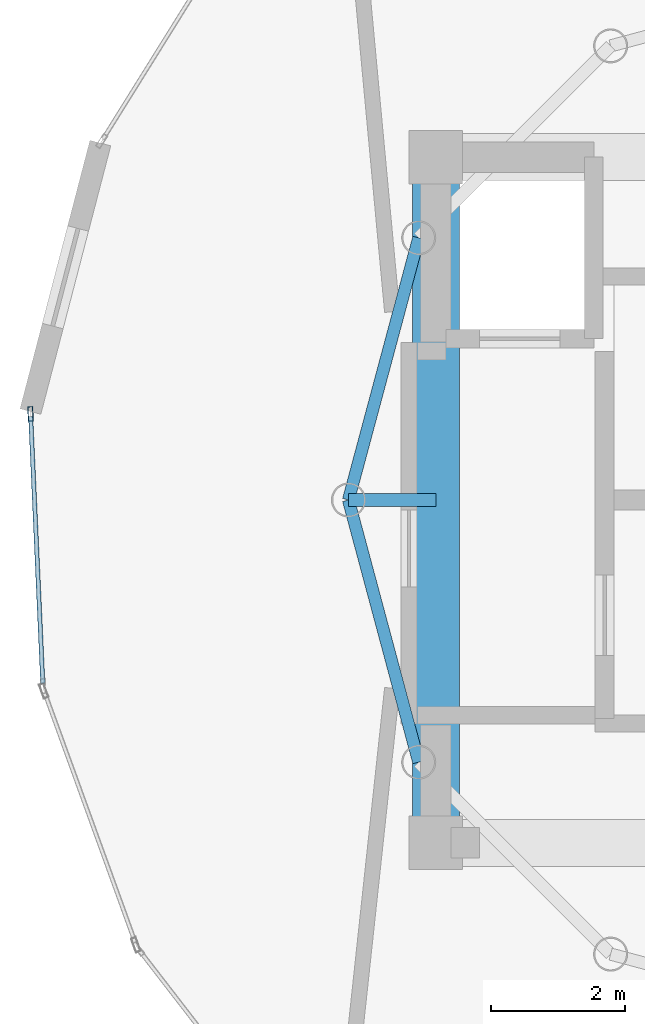
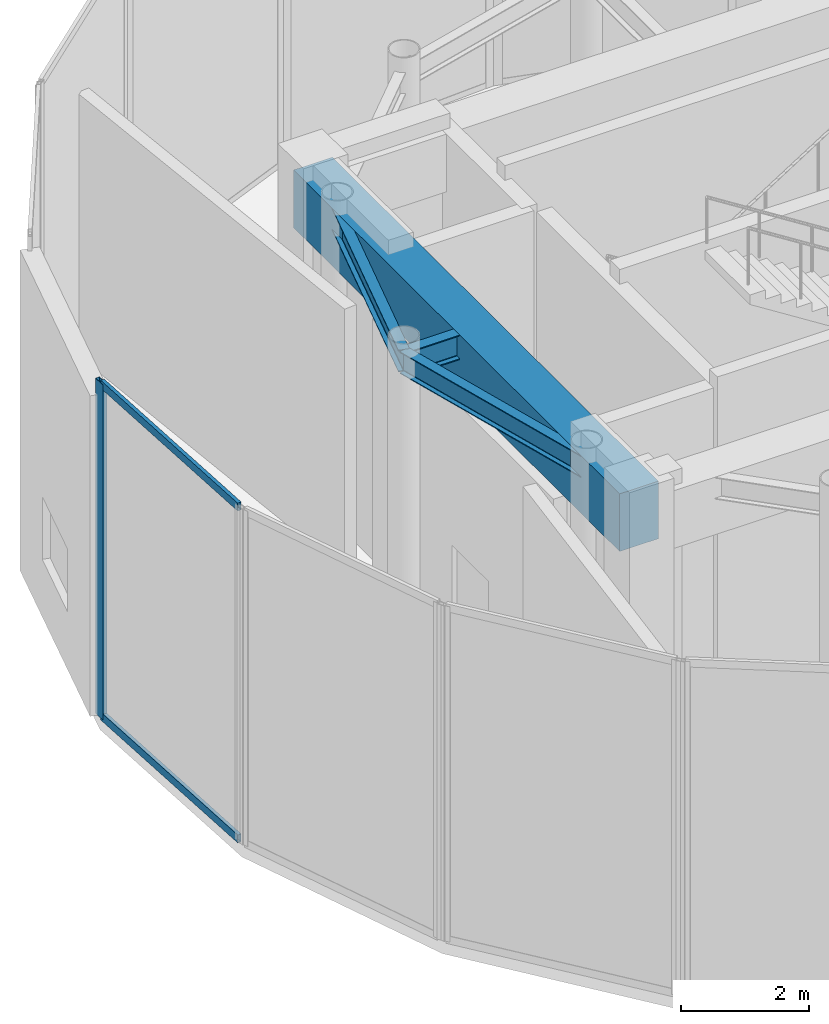
# One storey, part 3 of 10: 4 beams, 3 members, 1 element without a shape of its own.
"""IFC4 building model written with IfcOpenShell, lengths in metres."""

import ifcopenshell
import ifcopenshell.guid

model = None  # the IFC model being written
_history = None  # IfcOwnerHistory: only IFC2X3 demands one
_inside = {}  # id of a spatial element -> (the spatial element, [elements in it])
_under = {}  # id of a project, library or spatial element -> (it, [spatial elements below it])
_declared = {}  # id of a project -> (the project, [libraries it declares])
_typed = {}  # id of a type object -> (the type object, [elements of that type])
_made_of = {}  # id of a material, layer set ... -> (it, [elements and type objects made of it])


def new_model(schema):
    """Start an empty IFC model of exactly this schema.

    Asked for "IFC4X3", IfcOpenShell would pick the latest addendum, in which some entities
    have other attributes; the version numbers below select the first issue.
    IFC2X3 requires an IfcOwnerHistory on every rooted entity: one is made here for all.
    """
    global model, _history
    if schema == "IFC4X3":
        model = ifcopenshell.file(schema_version=(4, 3, 0, 0))
    else:
        model = ifcopenshell.file(schema=schema)
    _inside.clear()
    _under.clear()
    _declared.clear()
    _typed.clear()
    _made_of.clear()
    _history = None
    if model.schema == "IFC2X3":
        org = make("IfcOrganization", Name="unknown")
        user = make(
            "IfcPersonAndOrganization",
            ThePerson=make("IfcPerson", FamilyName="unknown"),
            TheOrganization=org,
        )
        app = make(
            "IfcApplication",
            ApplicationDeveloper=org,
            Version="unknown",
            ApplicationFullName="unknown",
            ApplicationIdentifier="unknown",
        )
        _history = make(
            "IfcOwnerHistory",
            OwningUser=user,
            OwningApplication=app,
            ChangeAction="ADDED",
            CreationDate=0,
        )
    return model


def make(cls, **values):
    """One entity of the class cls with the attributes given. An attribute that is None is left unset."""
    return model.create_entity(
        cls, **{name: value for name, value in values.items() if value is not None}
    )


def rooted(cls, **values):
    """An entity with a GlobalId (a new one), such as an element, a storey or a relation."""
    return make(cls, GlobalId=ifcopenshell.guid.new(), OwnerHistory=_history, **values)


def si_unit(unit_type, name, prefix=None):
    """IfcSIUnit, for example si_unit("LENGTHUNIT", "METRE", prefix="MILLI")."""
    return make("IfcSIUnit", UnitType=unit_type, Prefix=prefix, Name=name)


def assignment(units):
    """IfcUnitAssignment: the units of a project."""
    return None if units is None else make("IfcUnitAssignment", Units=units)


def point(xyz):
    """IfcCartesianPoint."""
    return None if xyz is None else make("IfcCartesianPoint", Coordinates=xyz)


def direction(xyz):
    """IfcDirection."""
    return None if xyz is None else make("IfcDirection", DirectionRatios=xyz)


def frame(location, z_axis=None, x_axis=None):
    """IfcAxis2Placement3D, a coordinate frame: its origin and axes. An axis left out is left unset."""
    return make(
        "IfcAxis2Placement3D",
        Location=point(location),
        Axis=direction(z_axis),
        RefDirection=direction(x_axis),
    )


def frame_2d(location, x_axis=None):
    """IfcAxis2Placement2D, a coordinate frame in the plane: its origin and x axis."""
    return make(
        "IfcAxis2Placement2D", Location=point(location), RefDirection=direction(x_axis)
    )


def origin():
    """The frame at (0, 0, 0) with its axes left unset."""
    return frame((0.0, 0.0, 0.0))


def origin_2d():
    """The frame at (0, 0) in the plane with its x axis left unset."""
    return frame_2d((0.0, 0.0))


def place(relative_to, where):
    """IfcLocalPlacement: puts the frame where relative to a parent placement (None: the world)."""
    return make(
        "IfcLocalPlacement", PlacementRelTo=relative_to, RelativePlacement=where
    )


def context(
    kind, dimensions, precision=None, world=None, true_north=None, identifier=None
):
    """IfcGeometricRepresentationContext, for example the 3D "Model" context."""
    return make(
        "IfcGeometricRepresentationContext",
        ContextIdentifier=identifier,
        ContextType=kind,
        CoordinateSpaceDimension=dimensions,
        Precision=precision,
        WorldCoordinateSystem=world,
        TrueNorth=true_north,
    )


def subcontext(parent, identifier, kind, view, scale=None):
    """IfcGeometricRepresentationSubContext, for example "Body" below "Model"."""
    return make(
        "IfcGeometricRepresentationSubContext",
        ContextIdentifier=identifier,
        ContextType=kind,
        ParentContext=parent,
        TargetScale=scale,
        TargetView=view,
    )


def project(units=None, contexts=None):
    """IfcProject with its units and contexts."""
    return rooted(
        "IfcProject",
        Name="project",
        RepresentationContexts=contexts,
        UnitsInContext=assignment(units),
    )


def spatial(cls, under=None, at=None, **own):
    """A site, building, storey or space (cls), placed at a placement, below another one or the project."""
    s = rooted(cls, ObjectPlacement=at, **own)
    if under is not None:
        _under.setdefault(under.id(), (under, []))[1].append(s)
    return s


def profile(cls, at=None, kind="AREA", **sizes):
    """A parametric profile (cls). Its sizes go by their IFC names, for example OverallWidth=200.0."""
    return make(cls, ProfileType=kind, Position=at, **sizes)


def rectangle(**sizes):
    """IfcRectangleProfileDef."""
    return profile("IfcRectangleProfileDef", **sizes)


def hollow_rectangle(**sizes):
    """IfcRectangleHollowProfileDef."""
    return profile("IfcRectangleHollowProfileDef", **sizes)


def i_section(**sizes):
    """IfcIShapeProfileDef."""
    return profile("IfcIShapeProfileDef", **sizes)


def extrude(swept, where, along, depth):
    """IfcExtrudedAreaSolid: the profile swept, set in the frame where, extruded along a direction by depth."""
    return make(
        "IfcExtrudedAreaSolid",
        SweptArea=swept,
        Position=where,
        ExtrudedDirection=direction(along),
        Depth=depth,
    )


def shape(context_of_items, identifier, shape_type, items):
    """IfcShapeRepresentation: the items that make up one representation, for example the "Body"."""
    return make(
        "IfcShapeRepresentation",
        ContextOfItems=context_of_items,
        RepresentationIdentifier=identifier,
        RepresentationType=shape_type,
        Items=items,
    )


def source(mapping_origin, context_of_items, identifier, shape_type, items):
    """IfcRepresentationMap: a shape defined once, which mapped items show again and again."""
    return make(
        "IfcRepresentationMap",
        MappingOrigin=mapping_origin,
        MappedRepresentation=shape(context_of_items, identifier, shape_type, items),
    )


def transform(
    local_origin,
    x_axis=None,
    y_axis=None,
    z_axis=None,
    scale=None,
    scale2=None,
    scale3=None,
    uniform=True,
):
    """IfcCartesianTransformationOperator3D, or its non-uniform kind. x_axis, y_axis, z_axis: its Axis1, 2, 3."""
    if uniform:
        return make(
            "IfcCartesianTransformationOperator3D",
            Axis1=direction(x_axis),
            Axis2=direction(y_axis),
            LocalOrigin=point(local_origin),
            Scale=scale,
            Axis3=direction(z_axis),
        )
    return make(
        "IfcCartesianTransformationOperator3DnonUniform",
        Axis1=direction(x_axis),
        Axis2=direction(y_axis),
        LocalOrigin=point(local_origin),
        Scale=scale,
        Axis3=direction(z_axis),
        Scale2=scale2,
        Scale3=scale3,
    )


def mapped(mapping_source, mapping_target):
    """IfcMappedItem: shows the shape of a source again, moved by a transform."""
    return make(
        "IfcMappedItem", MappingSource=mapping_source, MappingTarget=mapping_target
    )


def material(Name=None, Category=None):
    """IfcMaterial."""
    return make("IfcMaterial", Name=Name, Category=Category)


def layer(
    of_material, thickness, ventilated=None, Name=None, Category=None, Priority=None
):
    """IfcMaterialLayer: one layer of a wall or slab, of a material (None: an air gap)."""
    return make(
        "IfcMaterialLayer",
        Material=of_material,
        LayerThickness=thickness,
        IsVentilated=ventilated,
        Name=Name,
        Category=Category,
        Priority=Priority,
    )


def layer_set(layers, Name=None):
    """IfcMaterialLayerSet."""
    return make("IfcMaterialLayerSet", MaterialLayers=layers, LayerSetName=Name)


def material_profile(
    of_material, cross_section, Name=None, Category=None, Priority=None
):
    """IfcMaterialProfile: a cross section and its material."""
    return make(
        "IfcMaterialProfile",
        Name=Name,
        Material=of_material,
        Profile=cross_section,
        Priority=Priority,
        Category=Category,
    )


def profile_set(profiles, Name=None, composite=None):
    """IfcMaterialProfileSet."""
    return make(
        "IfcMaterialProfileSet",
        Name=Name,
        MaterialProfiles=profiles,
        CompositeProfile=composite,
    )


def made_of(thing, what):
    """Note that an element or type object is made of a material, layer set ...; save() writes the relation."""
    if what is not None:
        _made_of.setdefault(what.id(), (what, []))[1].append(thing)
    return thing


def type_object(cls, material=None, **own):
    """A type object (cls), such as IfcWallType, which elements share."""
    return made_of(rooted(cls, **own), material)


def element(
    cls,
    number,
    at=None,
    inside=None,
    cuts=None,
    type_object=None,
    material=None,
    context=None,
    identifier="Body",
    shape_type=None,
    held_by="IfcProductDefinitionShape",
    body=None,
    shapes=None,
    **own,
):
    """One element of the class cls, such as IfcWall. Its Tag is "e" and its number.

    at: its placement. inside: the storey or other place that contains it. cuts: it is an
    opening in that element (IfcRelVoidsElement). A single representation is given by context,
    identifier, shape_type and body (its items); several are given by shapes. held_by: the class
    of the entity that holds the representations. save() writes the other relations.
    """
    e = rooted(cls, Tag="e%d" % number, ObjectPlacement=at, **own)
    if body is not None:
        shapes = [shape(context, identifier, shape_type, body)]
    if shapes is not None:
        e.Representation = make(held_by, Representations=shapes)
    if inside is not None:
        _inside.setdefault(inside.id(), (inside, []))[1].append(e)
    if cuts is not None:
        rooted(
            "IfcRelVoidsElement", RelatingBuildingElement=cuts, RelatedOpeningElement=e
        )
    if type_object is not None:
        _typed.setdefault(type_object.id(), (type_object, []))[1].append(e)
    return made_of(e, material)


def aggregate(whole, parts):
    """IfcRelAggregates: a whole, such as a stair, and the parts it consists of."""
    return rooted("IfcRelAggregates", RelatingObject=whole, RelatedObjects=parts)


def save(model, path):
    """Write the relations noted so far, then the file.

    IfcRelAggregates (storeys below a building ...), IfcRelContainedInSpatialStructure (elements
    in a storey), IfcRelDefinesByType, IfcRelAssociatesMaterial and IfcRelDeclares: one each for
    every whole, place, type object, material and project.
    """
    for whole, parts in _under.values():
        aggregate(whole, parts)
    for where, things in _inside.values():
        rooted(
            "IfcRelContainedInSpatialStructure",
            RelatedElements=things,
            RelatingStructure=where,
        )
    for kind, things in _typed.values():
        rooted("IfcRelDefinesByType", RelatedObjects=things, RelatingType=kind)
    for what, things in _made_of.values():
        rooted("IfcRelAssociatesMaterial", RelatedObjects=things, RelatingMaterial=what)
    for by, libraries in _declared.values():
        rooted("IfcRelDeclares", RelatingContext=by, RelatedDefinitions=libraries)
    model.write(path)


model = new_model("IFC4")

# Units and contexts
model_context = context("Model", 3, precision=1e-05, world=origin(), true_north=direction((0.0, 1.0)))
body_context = subcontext(model_context, "Body", "Model", "MODEL_VIEW")
ifc_project = project(units=[si_unit("LENGTHUNIT", "METRE"), si_unit("AREAUNIT", "SQUARE_METRE"), si_unit("VOLUMEUNIT", "CUBIC_METRE"), si_unit("PLANEANGLEUNIT", "RADIAN"), si_unit("MASSUNIT", "GRAM", prefix="KILO")], contexts=[model_context])

# Site, building, storey
site_placement = place(None, origin())
site = spatial("IfcSite", under=ifc_project, at=site_placement, CompositionType="ELEMENT")
building_placement = place(site_placement, origin())
building = spatial("IfcBuilding", under=site, at=building_placement, Name="Solvirekh Grand Hotel", CompositionType="ELEMENT")
storey_placement = place(building_placement, frame((0.0, 0.0, 308.199951171875)))
storey = spatial("IfcBuildingStorey", under=building, at=storey_placement, Name="L79", CompositionType="ELEMENT", Elevation=308.199951171875)

# Beams
ifc_material_1 = material(Name="Concrete C60/75", Category="concrete")
ifc_material_profile_1 = material_profile(ifc_material_1, rectangle(XDim=0.699951171875, YDim=1.10009765625, at=origin_2d()), Name="RC BEAM 700X1100")
ifc_profile_set_1 = profile_set([ifc_material_profile_1], Name="Concrete C60/75")
beam_type_1 = type_object("IfcBeamType", Name="Beam_Core_RC1100", PredefinedType="BEAM", material=ifc_profile_set_1)
beam_1_placement = place(storey_placement, frame((-6.5, 5.10009765625, 5.570068359375), z_axis=(0.0, -1.0, 0.0), x_axis=(1.0, 0.0, 0.0)))
element("IfcBeam", 1, at=beam_1_placement, inside=storey, type_object=beam_type_1, Name="L79 core coupling ring beam 4", PredefinedType="BEAM", context=body_context, shape_type="SweptSolid", body=[
    extrude(rectangle(XDim=0.699951171875, YDim=1.10009765625, at=origin_2d()), origin(), (0.0, 0.0, 1.0), 10.2001953125),
])
ifc_material_2 = material(Name="Steel S355", Category="steel")
ifc_material_profile_2 = material_profile(ifc_material_2, i_section(OverallWidth=0.194091796875, OverallDepth=0.468994140625, WebThickness=0.010986328125, FlangeThickness=0.01904296875, FilletRadius=0.012939453125, at=origin_2d()), Name="W460X106")
ifc_profile_set_2 = profile_set([ifc_material_profile_2], Name="Steel S355")
beam_type_2 = type_object("IfcBeamType", Name="Beam_Radial_W460H", PredefinedType="BEAM", material=ifc_profile_set_2)
beam_2_placement = place(storey_placement, frame((-6.5, 0.0, 5.885009765625), z_axis=(-1.0, 0.0, 0.0), x_axis=(0.0, -1.0, 0.0)))
element("IfcBeam", 2, at=beam_2_placement, inside=storey, type_object=beam_type_2, Name="L79 radial floor beam R07", PredefinedType="BEAM", context=body_context, shape_type="SweptSolid", body=[
    extrude(i_section(OverallWidth=0.194091796875, OverallDepth=0.468994140625, WebThickness=0.010986328125, FlangeThickness=0.01904296875, FilletRadius=0.012939453125, at=origin_2d()), origin(), (0.0, 0.0, 1.0), 1.300048828125),
])
ifc_material_profile_3 = material_profile(ifc_material_2, i_section(OverallWidth=0.180908203125, OverallDepth=0.4169921875, WebThickness=0.010009765625, FlangeThickness=0.01611328125, FilletRadius=0.011962890625, at=origin_2d()), Name="W410X85")
ifc_profile_set_3 = profile_set([ifc_material_profile_3], Name="Steel S355")
beam_type_3 = type_object("IfcBeamType", Name="Spandrel_Ring_W410", PredefinedType="SPANDREL", material=ifc_profile_set_3)
for number, where, z_axis, x_axis, name in (
    (3, (-6.7548828125, 3.89990234375, 5.9111328125), (-0.258863027773, -0.965914040095, 0.0), (0.965914040095, -0.258863027773, 0.0), "L79 perimeter spandrel beam 6"),
    (4, (-7.800048828125, 0.0, 5.9111328125), (0.258863027773, -0.965914040095, 0.0), (0.965914040095, 0.258863027773, 0.0), "L79 perimeter spandrel beam 7"),
):
    element("IfcBeam", number, at=place(storey_placement, frame(where, z_axis=z_axis, x_axis=x_axis)), inside=storey, type_object=beam_type_3, Name=name, PredefinedType="SPANDREL", context=body_context, shape_type="SweptSolid", body=[
        extrude(i_section(OverallWidth=0.180908203125, OverallDepth=0.4169921875, WebThickness=0.010009765625, FlangeThickness=0.01611328125, FilletRadius=0.011962890625, at=origin_2d()), origin(), (0.0, 0.0, 1.0), 4.03759765625),
    ])

# Curtain wall, members
ifc_material_3 = material(Name="Anodized Bronze Aluminium 6063-T6", Category="aluminium")
ifc_layer = layer(ifc_material_3, 0.219970703125)
ifc_layer_set = layer_set([ifc_layer], Name="Anodized Bronze Aluminium 6063-T6")
curtain_wall_type = type_object("IfcCurtainWallType", Name="CW_Sys6_CrownFacetedPointCW", PredefinedType="NOTDEFINED", material=ifc_layer_set)
curtain_wall_placement = place(storey_placement, origin())
curtain_wall = element("IfcCurtainWall", 5, at=curtain_wall_placement, inside=storey, type_object=curtain_wall_type, Name="L79 unitised bronze-glass curtain wall CW-L79-C16", PredefinedType="NOTDEFINED")
ifc_material_profile_4 = material_profile(ifc_material_3, hollow_rectangle(XDim=0.074951171875, YDim=0.219970703125, WallThickness=0.006103515625, at=origin_2d()), Name="ALU RHS 220X75X6")
ifc_profile_set_4 = profile_set([ifc_material_profile_4], Name="Anodized Bronze Aluminium 6063-T6")
member_type_1 = type_object("IfcMemberType", Name="CWMullion_Sys6", PredefinedType="MULLION", material=ifc_profile_set_4)
shared_shape_1 = source(origin(), body_context, "Body", "SweptSolid", [
    extrude(hollow_rectangle(XDim=0.074951171875, YDim=0.219970703125, WallThickness=0.006103515625, at=origin_2d()), origin(), (0.0, 0.0, 1.0), 6.400146484375),
])
member_1_placement = place(storey_placement, frame((-12.529296875, 1.279541015625, 0.0), z_axis=(0.0, 0.0, 1.0), x_axis=(0.998972035948, 0.045330689322, 0.0)))
member_1 = element("IfcMember", 6, at=member_1_placement, type_object=member_type_1, Name="U06 mullion 1", PredefinedType="MULLION", context=body_context, shape_type="MappedRepresentation", body=[
    mapped(shared_shape_1, transform((0.0, 0.0, 0.0), x_axis=(1.0, 0.0, 0.0), y_axis=(0.0, 1.0, 0.0), z_axis=(0.0, 0.0, 1.0), scale=1.0)),
])
ifc_material_profile_5 = material_profile(ifc_material_3, hollow_rectangle(XDim=0.06494140625, YDim=0.14990234375, WallThickness=0.0048828125, at=origin_2d()), Name="ALU RHS 150X65X5")
ifc_profile_set_5 = profile_set([ifc_material_profile_5], Name="Anodized Bronze Aluminium 6063-T6")
member_type_2 = type_object("IfcMemberType", Name="CWTransom_Sys6", PredefinedType="USERDEFINED", material=ifc_profile_set_5)
shared_shape_2 = source(origin(), body_context, "Body", "SweptSolid", [
    extrude(hollow_rectangle(XDim=0.06494140625, YDim=0.14990234375, WallThickness=0.0048828125, at=origin_2d()), origin(), (0.0, 0.0, 1.0), 3.975341796875),
])
member_2_placement = place(storey_placement, frame((-12.527587890625, 1.2421875, 0.032470703125), z_axis=(0.045324086047, -0.998972335565, 0.0), x_axis=(0.998972335565, 0.045324086047, 0.0)))
member_2 = element("IfcMember", 7, at=member_2_placement, type_object=member_type_2, Name="U06 transom 1.1", ObjectType="TRANSOM", PredefinedType="USERDEFINED", context=body_context, shape_type="MappedRepresentation", body=[
    mapped(shared_shape_2, transform((0.0, 0.0, 0.0), x_axis=(1.0, 0.0, 0.0), y_axis=(0.0, 1.0, 0.0), z_axis=(0.0, 0.0, 1.0), scale=1.0)),
])
member_3_placement = place(storey_placement, frame((-12.527587890625, 1.2421875, 6.367431640625), z_axis=(0.045324086047, -0.998972335565, 0.0), x_axis=(0.998972335565, 0.045324086047, 0.0)))
member_3 = element("IfcMember", 8, at=member_3_placement, type_object=member_type_2, Name="U06 transom 1.2", ObjectType="TRANSOM", PredefinedType="USERDEFINED", context=body_context, shape_type="MappedRepresentation", body=[
    mapped(shared_shape_2, transform((0.0, 0.0, 0.0), x_axis=(1.0, 0.0, 0.0), y_axis=(0.0, 1.0, 0.0), z_axis=(0.0, 0.0, 1.0), scale=1.0)),
])
aggregate(curtain_wall, [member_1, member_2, member_3])

save(model, "model.ifc")
